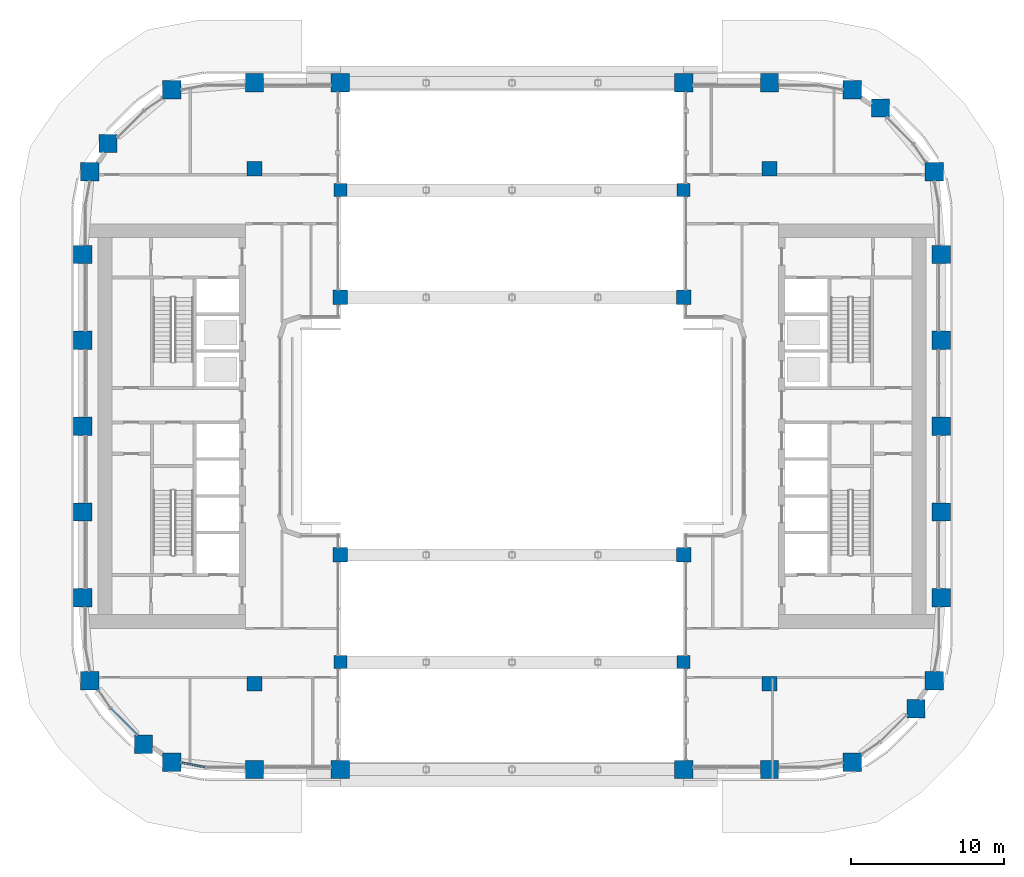
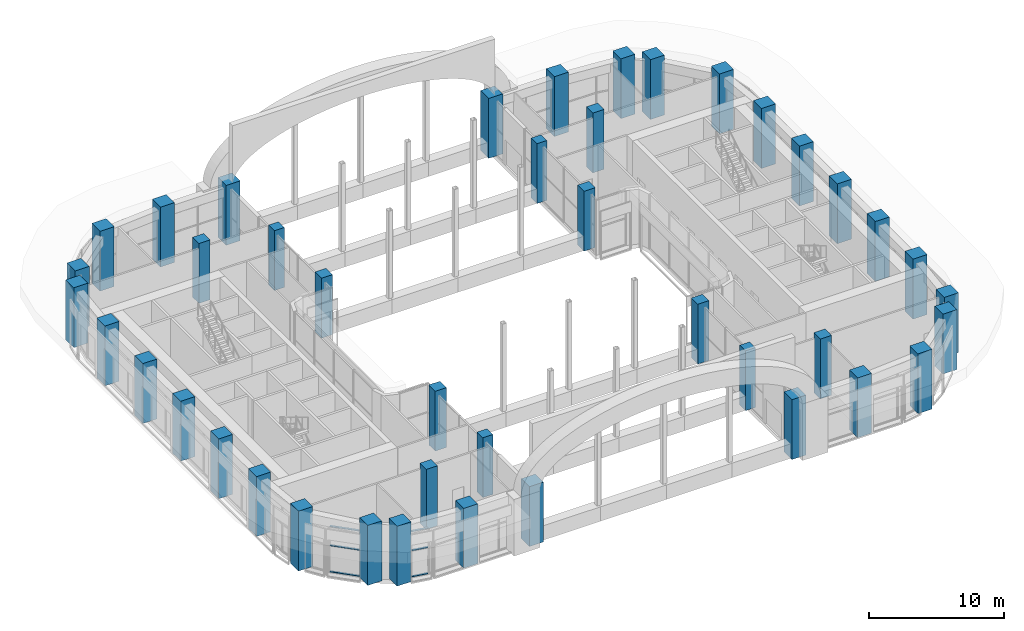
# One storey, part 1 of 28: 42 columns, 6 members, 2 elements without a shape of their own.
"""IFC4 building model written with IfcOpenShell, lengths in metres."""

from ifc_helpers import new_model, si_unit, direction, frame, origin, origin_2d, place, context, subcontext, project, spatial, rectangle, extrude, material, layer, layer_set, material_profile, profile_set, type_object, element, aggregate, save


model = new_model("IFC4")

# Units and contexts
model_context = context("Model", 3, precision=1e-05, world=origin(), true_north=direction((0.0, 1.0)))
body_context = subcontext(model_context, "Body", "Model", "MODEL_VIEW")
ifc_project = project(units=[si_unit("LENGTHUNIT", "METRE"), si_unit("AREAUNIT", "SQUARE_METRE"), si_unit("VOLUMEUNIT", "CUBIC_METRE"), si_unit("PLANEANGLEUNIT", "RADIAN"), si_unit("MASSUNIT", "GRAM", prefix="KILO")], contexts=[model_context])

# Site, building, storey
site_placement = place(None, origin())
site = spatial("IfcSite", under=ifc_project, at=site_placement, CompositionType="ELEMENT")
building_placement = place(site_placement, origin())
building = spatial("IfcBuilding", under=site, at=building_placement, Name="Kiln Ring Residences", CompositionType="ELEMENT")
storey_placement = place(building_placement, frame((0.0, 0.0, 125.300048828125)))
storey = spatial("IfcBuildingStorey", under=building, at=storey_placement, Name="L32", CompositionType="ELEMENT", Elevation=125.300048828125)

# Columns
ifc_material_1 = material(Name="Concrete C80/95", Category="concrete")
ifc_material_profile_1 = material_profile(ifc_material_1, rectangle(XDim=0.85009765625, YDim=0.85009765625, at=origin_2d()), Name="RC850x850")
ifc_profile_set_1 = profile_set([ifc_material_profile_1], Name="Concrete C80/95")
column_type_1 = type_object("IfcColumnType", Name="Corridor column RC850x850 C80/95", PredefinedType="COLUMN", material=ifc_profile_set_1)
for number, where, z_axis, x_axis, name in (
    (1, (-11.199951171875, 15.39990234375, 0.0), (0.0, 0.0, 1.0), (1.0, 0.0, 0.0), "Corridor column L32 1"),
    (2, (11.199951171875, 15.39990234375, 0.0), (0.0, 0.0, 1.0), (1.0, 0.0, 0.0), "Corridor column L32 2"),
    (3, (-11.199951171875, -15.39990234375, 0.0), (0.0, 0.0, 1.0), (1.0, 0.0, 0.0), "Corridor column L32 3"),
    (4, (11.199951171875, -15.39990234375, 0.0), (0.0, 0.0, 1.0), (1.0, 0.0, 0.0), "Corridor column L32 4"),
):
    element("IfcColumn", number, at=place(storey_placement, frame(where, z_axis=z_axis, x_axis=x_axis)), inside=storey, type_object=column_type_1, Name=name, PredefinedType="COLUMN", context=body_context, shape_type="SweptSolid", body=[
        extrude(rectangle(XDim=0.85009765625, YDim=0.85009765625, at=origin_2d()), origin(), (0.0, 0.0, 1.0), 5.39990234375),
    ])
ifc_material_2 = material(Name="Concrete C80/95", Category="concrete")
ifc_material_profile_2 = material_profile(ifc_material_2, rectangle(XDim=1.199951171875, YDim=1.199951171875, at=origin_2d()), Name="RC1200x1200")
ifc_profile_set_2 = profile_set([ifc_material_profile_2], Name="Concrete C80/95")
column_type_2 = type_object("IfcColumnType", Name="Perimeter column RC1200x1200 C80/95", PredefinedType="COLUMN", material=ifc_profile_set_2)
for number, where, z_axis, x_axis, name in (
    (5, (-22.208740234375, -21.93798828125, 0.0), (0.0, 0.0, 1.0), (1.0, 0.0, 0.0), "Perimeter column L32 1"),
    (6, (-16.800048828125, -22.39990234375, 0.0), (0.0, 0.0, 1.0), (1.0, 0.0, 0.0), "Perimeter column L32 2"),
    (7, (-11.199951171875, -22.39990234375, 0.0), (0.0, 0.0, 1.0), (1.0, 0.0, 0.0), "Perimeter column L32 3"),
    (8, (11.199951171875, -22.39990234375, 0.0), (0.0, 0.0, 1.0), (1.0, 0.0, 0.0), "Perimeter column L32 4"),
    (9, (16.800048828125, -22.39990234375, 0.0), (0.0, 0.0, 1.0), (1.0, 0.0, 0.0), "Perimeter column L32 5"),
    (10, (22.208740234375, -21.93798828125, 0.0), (0.0, 0.0, 1.0), (1.0, 0.0, 0.0), "Perimeter column L32 6"),
    (11, (26.35986328125, -18.440185546875, 0.0), (0.0, 0.0, 1.0), (1.0, 0.0, 0.0), "Perimeter column L32 7"),
    (12, (27.5380859375, -16.608642578125, 0.0), (0.0, 0.0, 1.0), (1.0, 0.0, 0.0), "Perimeter column L32 8"),
    (13, (28.0, -11.199951171875, 0.0), (0.0, 0.0, 1.0), (1.0, 0.0, 0.0), "Perimeter column L32 9"),
    (14, (28.0, -5.60009765625, 0.0), (0.0, 0.0, 1.0), (1.0, 0.0, 0.0), "Perimeter column L32 10"),
    (15, (28.0, 0.0, 0.0), (0.0, 0.0, 1.0), (1.0, 0.0, 0.0), "Perimeter column L32 11"),
    (16, (28.0, 5.60009765625, 0.0), (0.0, 0.0, 1.0), (1.0, 0.0, 0.0), "Perimeter column L32 12"),
    (17, (28.0, 11.199951171875, 0.0), (0.0, 0.0, 1.0), (1.0, 0.0, 0.0), "Perimeter column L32 13"),
    (18, (27.5380859375, 16.608642578125, 0.0), (0.0, 0.0, 1.0), (1.0, 0.0, 0.0), "Perimeter column L32 14"),
    (19, (24.040283203125, 20.759765625, 0.0), (0.0, 0.0, 1.0), (1.0, 0.0, 0.0), "Perimeter column L32 15"),
    (20, (22.208740234375, 21.93798828125, 0.0), (0.0, 0.0, 1.0), (1.0, 0.0, 0.0), "Perimeter column L32 16"),
    (21, (16.800048828125, 22.39990234375, 0.0), (0.0, 0.0, 1.0), (1.0, 0.0, 0.0), "Perimeter column L32 17"),
    (22, (11.199951171875, 22.39990234375, 0.0), (0.0, 0.0, 1.0), (1.0, 0.0, 0.0), "Perimeter column L32 18"),
    (23, (-11.199951171875, 22.39990234375, 0.0), (0.0, 0.0, 1.0), (1.0, 0.0, 0.0), "Perimeter column L32 19"),
    (24, (-16.800048828125, 22.39990234375, 0.0), (0.0, 0.0, 1.0), (1.0, 0.0, 0.0), "Perimeter column L32 20"),
    (25, (-22.208740234375, 21.93798828125, 0.0), (0.0, 0.0, 1.0), (1.0, 0.0, 0.0), "Perimeter column L32 21"),
    (26, (-26.35986328125, 18.440185546875, 0.0), (0.0, 0.0, 1.0), (1.0, 0.0, 0.0), "Perimeter column L32 22"),
    (27, (-27.5380859375, 16.608642578125, 0.0), (0.0, 0.0, 1.0), (1.0, 0.0, 0.0), "Perimeter column L32 23"),
    (28, (-28.0, 11.199951171875, 0.0), (0.0, 0.0, 1.0), (1.0, 0.0, 0.0), "Perimeter column L32 24"),
    (29, (-28.0, 5.60009765625, 0.0), (0.0, 0.0, 1.0), (1.0, 0.0, 0.0), "Perimeter column L32 25"),
    (30, (-28.0, 0.0, 0.0), (0.0, 0.0, 1.0), (1.0, 0.0, 0.0), "Perimeter column L32 26"),
    (31, (-28.0, -5.60009765625, 0.0), (0.0, 0.0, 1.0), (1.0, 0.0, 0.0), "Perimeter column L32 27"),
    (32, (-28.0, -11.199951171875, 0.0), (0.0, 0.0, 1.0), (1.0, 0.0, 0.0), "Perimeter column L32 28"),
    (33, (-27.5380859375, -16.608642578125, 0.0), (0.0, 0.0, 1.0), (1.0, 0.0, 0.0), "Perimeter column L32 29"),
    (34, (-24.040283203125, -20.759765625, 0.0), (0.0, 0.0, 1.0), (1.0, 0.0, 0.0), "Perimeter column L32 30"),
):
    element("IfcColumn", number, at=place(storey_placement, frame(where, z_axis=z_axis, x_axis=x_axis)), inside=storey, type_object=column_type_2, Name=name, PredefinedType="COLUMN", context=body_context, shape_type="SweptSolid", body=[
        extrude(rectangle(XDim=1.199951171875, YDim=1.199951171875, at=origin_2d()), origin(), (0.0, 0.0, 1.0), 5.39990234375),
    ])
ifc_material_3 = material(Name="Concrete C80/95", Category="concrete")
ifc_material_profile_3 = material_profile(ifc_material_3, rectangle(XDim=0.949951171875, YDim=0.949951171875, at=origin_2d()), Name="RC950x950")
ifc_profile_set_3 = profile_set([ifc_material_profile_3], Name="Concrete C80/95")
column_type_3 = type_object("IfcColumnType", Name="Ring column RC950x950 C80/95", PredefinedType="COLUMN", material=ifc_profile_set_3)
for number, where, z_axis, x_axis, name in (
    (35, (-16.800048828125, -16.800048828125, 0.0), (0.0, 0.0, 1.0), (1.0, 0.0, 0.0), "Ring column L32 1"),
    (36, (-16.800048828125, 16.800048828125, 0.0), (0.0, 0.0, 1.0), (1.0, 0.0, 0.0), "Ring column L32 2"),
    (37, (16.800048828125, -16.800048828125, 0.0), (0.0, 0.0, 1.0), (1.0, 0.0, 0.0), "Ring column L32 3"),
    (38, (16.800048828125, 16.800048828125, 0.0), (0.0, 0.0, 1.0), (1.0, 0.0, 0.0), "Ring column L32 4"),
    (39, (-11.199951171875, -8.39990234375, 0.0), (0.0, 0.0, 1.0), (1.0, 0.0, 0.0), "Ring column L32 5"),
    (40, (-11.199951171875, 8.39990234375, 0.0), (0.0, 0.0, 1.0), (1.0, 0.0, 0.0), "Ring column L32 6"),
    (41, (11.199951171875, -8.39990234375, 0.0), (0.0, 0.0, 1.0), (1.0, 0.0, 0.0), "Ring column L32 7"),
    (42, (11.199951171875, 8.39990234375, 0.0), (0.0, 0.0, 1.0), (1.0, 0.0, 0.0), "Ring column L32 8"),
):
    element("IfcColumn", number, at=place(storey_placement, frame(where, z_axis=z_axis, x_axis=x_axis)), inside=storey, type_object=column_type_3, Name=name, PredefinedType="COLUMN", context=body_context, shape_type="SweptSolid", body=[
        extrude(rectangle(XDim=0.949951171875, YDim=0.949951171875, at=origin_2d()), origin(), (0.0, 0.0, 1.0), 5.39990234375),
    ])

# Curtain wall, members
ifc_material_4 = material(Name="Aluminium and glass", Category="aluminium")
ifc_layer = layer(ifc_material_4, 0.199951171875)
ifc_layer_set = layer_set([ifc_layer], Name="CW1 CURTAIN WALL")
curtain_wall_type = type_object("IfcCurtainWallType", Name="CW1 CURTAIN WALL", PredefinedType="NOTDEFINED", material=ifc_layer_set)
placement = place(storey_placement, origin())
curtain_wall_1 = element("IfcCurtainWall", 43, at=placement, inside=storey, type_object=curtain_wall_type, Name="Curtain wall CW1 L32", PredefinedType="NOTDEFINED")
ifc_material_5 = material(Name="Aluminium 6063-T6", Category="aluminium")
ifc_material_profile_4 = material_profile(ifc_material_5, rectangle(XDim=0.1201171875, YDim=0.06005859375, at=origin_2d()), Name="AL 120x60")
ifc_profile_set_4 = profile_set([ifc_material_profile_4], Name="Aluminium 6063-T6")
member_type = type_object("IfcMemberType", Name="CW1 TRANSOM 120 x 60", PredefinedType="USERDEFINED", material=ifc_profile_set_4)
member_1_placement = place(storey_placement, frame((-26.154541015625, -18.433349609375, 0.030029296875), z_axis=(0.707106781187, -0.707106781187, 0.0), x_axis=(0.707106781187, 0.707106781187, 0.0)))
member_1 = element("IfcMember", 44, at=member_1_placement, type_object=member_type, Name="CW1 transom 1.1", ObjectType="TRANSOM", PredefinedType="USERDEFINED", context=body_context, shape_type="SweptSolid", body=[
    extrude(rectangle(XDim=0.1201171875, YDim=0.06005859375, at=origin_2d()), origin(), (0.0, 0.0, 1.0), 2.381591796875),
])
member_2_placement = place(storey_placement, frame((-26.154541015625, -18.433349609375, 2.39990234375), z_axis=(0.707106781187, -0.707106781187, 0.0), x_axis=(0.707106781187, 0.707106781187, 0.0)))
member_2 = element("IfcMember", 45, at=member_2_placement, type_object=member_type, Name="CW1 transom 1.2", ObjectType="TRANSOM", PredefinedType="USERDEFINED", context=body_context, shape_type="SweptSolid", body=[
    extrude(rectangle(XDim=0.1201171875, YDim=0.06005859375, at=origin_2d()), origin(), (0.0, 0.0, 1.0), 2.381591796875),
])
member_3_placement = place(storey_placement, frame((-26.154541015625, -18.433349609375, 4.119873046875), z_axis=(0.707106781187, -0.707106781187, 0.0), x_axis=(0.707106781187, 0.707106781187, 0.0)))
member_3 = element("IfcMember", 46, at=member_3_placement, type_object=member_type, Name="CW1 transom 1.3", ObjectType="TRANSOM", PredefinedType="USERDEFINED", context=body_context, shape_type="SweptSolid", body=[
    extrude(rectangle(XDim=0.1201171875, YDim=0.06005859375, at=origin_2d()), origin(), (0.0, 0.0, 1.0), 2.381591796875),
])
aggregate(curtain_wall_1, [member_1, member_2, member_3])

curtain_wall_2 = element("IfcCurtainWall", 47, at=placement, inside=storey, type_object=curtain_wall_type, Name="Curtain wall CW1 L32", PredefinedType="NOTDEFINED")
member_4_placement = place(storey_placement, frame((-21.539794921875, -21.95361328125, 0.030029296875), z_axis=(0.982289848443, -0.187367696378, 0.0), x_axis=(0.187367696378, 0.982289848443, 0.0)))
member_4 = element("IfcMember", 48, at=member_4_placement, type_object=member_type, Name="CW1 transom 1.1", ObjectType="TRANSOM", PredefinedType="USERDEFINED", context=body_context, shape_type="SweptSolid", body=[
    extrude(rectangle(XDim=0.1201171875, YDim=0.06005859375, at=origin_2d()), origin(), (0.0, 0.0, 1.0), 1.5361328125),
])
member_5_placement = place(storey_placement, frame((-21.539794921875, -21.95361328125, 2.39990234375), z_axis=(0.982289848443, -0.187367696378, 0.0), x_axis=(0.187367696378, 0.982289848443, 0.0)))
member_5 = element("IfcMember", 49, at=member_5_placement, type_object=member_type, Name="CW1 transom 1.2", ObjectType="TRANSOM", PredefinedType="USERDEFINED", context=body_context, shape_type="SweptSolid", body=[
    extrude(rectangle(XDim=0.1201171875, YDim=0.06005859375, at=origin_2d()), origin(), (0.0, 0.0, 1.0), 1.5361328125),
])
member_6_placement = place(storey_placement, frame((-21.539794921875, -21.95361328125, 4.119873046875), z_axis=(0.982289848443, -0.187367696378, 0.0), x_axis=(0.187367696378, 0.982289848443, 0.0)))
member_6 = element("IfcMember", 50, at=member_6_placement, type_object=member_type, Name="CW1 transom 1.3", ObjectType="TRANSOM", PredefinedType="USERDEFINED", context=body_context, shape_type="SweptSolid", body=[
    extrude(rectangle(XDim=0.1201171875, YDim=0.06005859375, at=origin_2d()), origin(), (0.0, 0.0, 1.0), 1.5361328125),
])
aggregate(curtain_wall_2, [member_4, member_5, member_6])

save(model, "model.ifc")
